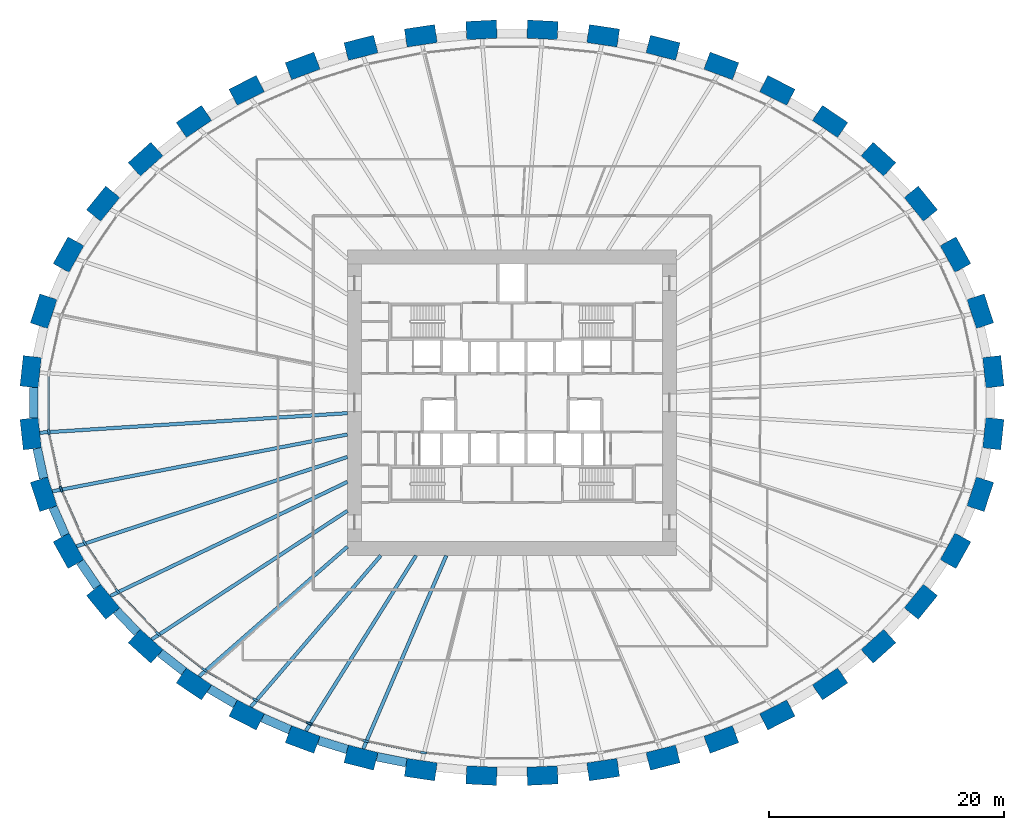
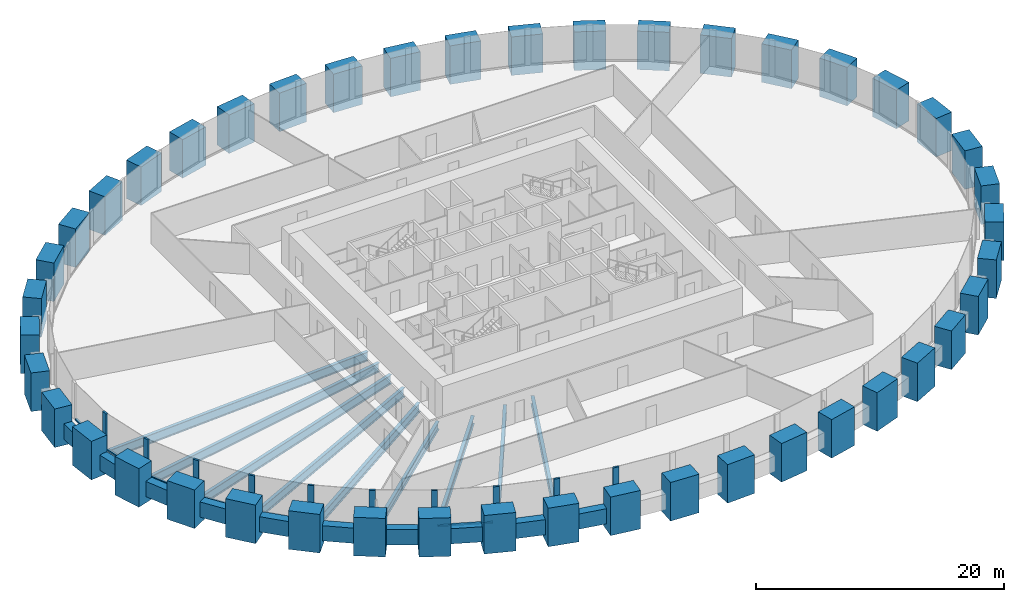
# One storey, part 1 of 10: 44 columns, 20 members, 19 beams, 1 element without a shape of its own.
"""IFC4 building model written with IfcOpenShell, lengths in metres."""

from ifc_helpers import new_model, si_unit, direction, frame, origin, origin_2d, place, context, subcontext, project, spatial, rectangle, i_section, extrude, source, transform, mapped, material, material_profile, profile_set, type_object, element, aggregate, save


model = new_model("IFC4")

# Units and contexts
model_context = context("Model", 3, precision=1e-05, world=origin(), true_north=direction((0.0, 1.0)))
body_context = subcontext(model_context, "Body", "Model", "MODEL_VIEW")
ifc_project = project(units=[si_unit("LENGTHUNIT", "METRE"), si_unit("AREAUNIT", "SQUARE_METRE"), si_unit("VOLUMEUNIT", "CUBIC_METRE"), si_unit("PLANEANGLEUNIT", "RADIAN"), si_unit("MASSUNIT", "GRAM", prefix="KILO")], contexts=[model_context])

# Site, building, storey
site_placement = place(None, origin())
site = spatial("IfcSite", under=ifc_project, at=site_placement, CompositionType="ELEMENT")
building_placement = place(site_placement, origin())
building = spatial("IfcBuilding", under=site, at=building_placement, Name="Embergate Tower", CompositionType="ELEMENT")
storey_placement = place(building_placement, frame((0.0, 0.0, 97.10009765625)))
storey = spatial("IfcBuildingStorey", under=building, at=storey_placement, Name="L20", CompositionType="ELEMENT", Elevation=97.10009765625)

# Columns
ifc_material_1 = material(Name="Concrete C70", Category="concrete")
ifc_material_profile_1 = material_profile(ifc_material_1, rectangle(XDim=1.550048828125, YDim=2.60009765625, at=origin_2d()), Name="RC 1550x2600")
ifc_profile_set_1 = profile_set([ifc_material_profile_1], Name="Concrete C70")
column_type = type_object("IfcColumnType", Name="Ring column RC 1550x2600 C70", PredefinedType="COLUMN", material=ifc_profile_set_1)
shared_shape_1 = source(origin(), body_context, "Body", "SweptSolid", [
    extrude(rectangle(XDim=1.550048828125, YDim=2.60009765625, at=origin_2d()), origin(), (0.0, 0.0, 1.0), 3.800048828125),
])
for number, where, z_axis, x_axis, name in (
    (1, (40.93408203125, 2.634033203125, -1.400146484375), (0.0, 0.0, 1.0), (0.99428589498, 0.106749983816, 0.0), "COL-L20-00"),
    (2, (39.825927734375, 7.781005859375, -1.400146484375), (0.0, 0.0, 1.0), (0.950754033697, 0.309946394413, 0.0), "COL-L20-01"),
    (3, (37.716064453125, 12.592041015625, -1.400146484375), (0.0, 0.0, 1.0), (0.873491969053, 0.486838556403, 0.0), "COL-L20-02"),
    (4, (34.77001953125, 16.926025390625, -1.400146484375), (0.0, 0.0, 1.0), (0.775925311702, 0.630824786022, 0.0), "COL-L20-03"),
    (5, (31.162109375, 20.708984375, -1.400146484375), (0.0, 0.0, 1.0), (0.669208424634, 0.74307475021, 0.0), "COL-L20-04"),
    (6, (27.051025390625, 23.9189453125, -1.400146484375), (0.0, 0.0, 1.0), (0.560393279442, 0.828226643109, 0.0), "COL-L20-05"),
    (7, (22.56298828125, 26.556884765625, -1.400146484375), (0.0, 0.0, 1.0), (0.452994952881, 0.891513080478, 0.0), "COL-L20-06"),
    (8, (17.801025390625, 28.639892578125, -1.400146484375), (0.0, 0.0, 1.0), (0.348343015724, 0.93736713373, 0.0), "COL-L20-07"),
    (9, (12.843017578125, 30.18408203125, -1.400146484375), (0.0, 0.0, 1.0), (0.246491603437, 0.969144926951, 0.0), "COL-L20-08"),
    (10, (7.7548828125, 31.2041015625, -1.400146484375), (0.0, 0.0, 1.0), (0.146929011949, 0.989147039346, 0.0), "COL-L20-09"),
    (11, (2.593017578125, 31.7119140625, -1.400146484375), (0.0, 0.0, 1.0), (0.048814904854, 0.998807841912, 0.0), "COL-L20-10"),
    (12, (-2.593017578125, 31.7119140625, -1.400146484375), (0.0, 0.0, 1.0), (-0.048814904854, 0.998807841912, 0.0), "COL-L20-11"),
    (13, (-7.7548828125, 31.2041015625, -1.400146484375), (0.0, 0.0, 1.0), (-0.146929011949, 0.989147039346, 0.0), "COL-L20-12"),
    (14, (-12.843017578125, 30.18408203125, -1.400146484375), (0.0, 0.0, 1.0), (-0.246491603437, 0.969144926951, 0.0), "COL-L20-13"),
    (15, (-17.801025390625, 28.639892578125, -1.400146484375), (0.0, 0.0, 1.0), (-0.348343015724, 0.93736713373, 0.0), "COL-L20-14"),
    (16, (-22.56298828125, 26.556884765625, -1.400146484375), (0.0, 0.0, 1.0), (-0.452994952881, 0.891513080478, 0.0), "COL-L20-15"),
    (17, (-27.051025390625, 23.9189453125, -1.400146484375), (0.0, 0.0, 1.0), (-0.560393279442, 0.828226643109, 0.0), "COL-L20-16"),
    (18, (-31.162109375, 20.708984375, -1.400146484375), (0.0, 0.0, 1.0), (-0.669208424634, 0.74307475021, 0.0), "COL-L20-17"),
    (19, (-34.77001953125, 16.926025390625, -1.400146484375), (0.0, 0.0, 1.0), (-0.775925311702, 0.630824786022, 0.0), "COL-L20-18"),
    (20, (-37.716064453125, 12.592041015625, -1.400146484375), (0.0, 0.0, 1.0), (-0.873491969053, 0.486838556403, 0.0), "COL-L20-19"),
    (21, (-39.825927734375, 7.781005859375, -1.400146484375), (0.0, 0.0, 1.0), (-0.950754033697, 0.309946394413, 0.0), "COL-L20-20"),
    (22, (-40.93408203125, 2.634033203125, -1.400146484375), (0.0, 0.0, 1.0), (-0.99428589498, 0.106749983816, 0.0), "COL-L20-21"),
    (23, (-40.93408203125, -2.634033203125, -1.400146484375), (0.0, 0.0, 1.0), (-0.99428589498, -0.106749983816, 0.0), "COL-L20-22"),
    (24, (-39.825927734375, -7.781005859375, -1.400146484375), (0.0, 0.0, 1.0), (-0.950754033697, -0.309946394413, 0.0), "COL-L20-23"),
    (25, (-37.716064453125, -12.592041015625, -1.400146484375), (0.0, 0.0, 1.0), (-0.873491969053, -0.486838556403, 0.0), "COL-L20-24"),
    (26, (-34.77001953125, -16.926025390625, -1.400146484375), (0.0, 0.0, 1.0), (-0.775925311702, -0.630824786022, 0.0), "COL-L20-25"),
    (27, (-31.162109375, -20.708984375, -1.400146484375), (0.0, 0.0, 1.0), (-0.669208424634, -0.74307475021, 0.0), "COL-L20-26"),
    (28, (-27.051025390625, -23.9189453125, -1.400146484375), (0.0, 0.0, 1.0), (-0.560393279442, -0.828226643109, 0.0), "COL-L20-27"),
    (29, (-22.56298828125, -26.556884765625, -1.400146484375), (0.0, 0.0, 1.0), (-0.452994952881, -0.891513080478, 0.0), "COL-L20-28"),
    (30, (-17.801025390625, -28.639892578125, -1.400146484375), (0.0, 0.0, 1.0), (-0.348343015724, -0.93736713373, 0.0), "COL-L20-29"),
    (31, (-12.843017578125, -30.18408203125, -1.400146484375), (0.0, 0.0, 1.0), (-0.246491603437, -0.969144926951, 0.0), "COL-L20-30"),
    (32, (-7.7548828125, -31.2041015625, -1.400146484375), (0.0, 0.0, 1.0), (-0.146929011949, -0.989147039346, 0.0), "COL-L20-31"),
    (33, (-2.593017578125, -31.7119140625, -1.400146484375), (0.0, 0.0, 1.0), (-0.048814904854, -0.998807841912, 0.0), "COL-L20-32"),
    (34, (2.593017578125, -31.7119140625, -1.400146484375), (0.0, 0.0, 1.0), (0.048814904854, -0.998807841912, 0.0), "COL-L20-33"),
    (35, (7.7548828125, -31.2041015625, -1.400146484375), (0.0, 0.0, 1.0), (0.146929011949, -0.989147039346, 0.0), "COL-L20-34"),
    (36, (12.843017578125, -30.18408203125, -1.400146484375), (0.0, 0.0, 1.0), (0.246491603437, -0.969144926951, 0.0), "COL-L20-35"),
    (37, (17.801025390625, -28.639892578125, -1.400146484375), (0.0, 0.0, 1.0), (0.348343015724, -0.93736713373, 0.0), "COL-L20-36"),
    (38, (22.56298828125, -26.556884765625, -1.400146484375), (0.0, 0.0, 1.0), (0.452994952881, -0.891513080478, 0.0), "COL-L20-37"),
    (39, (27.051025390625, -23.9189453125, -1.400146484375), (0.0, 0.0, 1.0), (0.560393279442, -0.828226643109, 0.0), "COL-L20-38"),
    (40, (31.162109375, -20.708984375, -1.400146484375), (0.0, 0.0, 1.0), (0.669208424634, -0.74307475021, 0.0), "COL-L20-39"),
    (41, (34.77001953125, -16.926025390625, -1.400146484375), (0.0, 0.0, 1.0), (0.775925311702, -0.630824786022, 0.0), "COL-L20-40"),
    (42, (37.716064453125, -12.592041015625, -1.400146484375), (0.0, 0.0, 1.0), (0.873491969053, -0.486838556403, 0.0), "COL-L20-41"),
    (43, (39.825927734375, -7.781005859375, -1.400146484375), (0.0, 0.0, 1.0), (0.950754033697, -0.309946394413, 0.0), "COL-L20-42"),
    (44, (40.93408203125, -2.634033203125, -1.400146484375), (0.0, 0.0, 1.0), (0.99428589498, -0.106749983816, 0.0), "COL-L20-43"),
):
    element("IfcColumn", number, at=place(storey_placement, frame(where, z_axis=z_axis, x_axis=x_axis)), inside=storey, type_object=column_type, Name=name, PredefinedType="COLUMN", context=body_context, shape_type="MappedRepresentation", body=[
        mapped(shared_shape_1, transform((0.0, 0.0, 0.0))),
    ])

# Beams
ifc_material_profile_2 = material_profile(ifc_material_1, rectangle(XDim=0.75, YDim=1.5, at=origin_2d()), Name="RC 750x1500")
ifc_profile_set_2 = profile_set([ifc_material_profile_2], Name="Concrete C70")
beam_type_1 = type_object("IfcBeamType", Name="Spandrel beam RC 750x1500 C70", PredefinedType="BEAM", material=ifc_profile_set_2)
shared_shape_2 = source(origin(), body_context, "Body", "SweptSolid", [
    extrude(rectangle(XDim=0.75, YDim=1.5, at=origin_2d()), origin(), (0.0, 0.0, 1.0), 2.556640625),
])
beam_1_placement = place(storey_placement, frame((-21.22509765625, -26.7939453125, 0.0), z_axis=(0.91608499415, -0.400984143692, 0.0), x_axis=(0.400984143692, 0.91608499415, 0.0)))
element("IfcBeam", 45, at=beam_1_placement, inside=storey, type_object=beam_type_1, Name="SPN-L20-28", PredefinedType="BEAM", context=body_context, shape_type="MappedRepresentation", body=[
    mapped(shared_shape_2, transform((0.0, 0.0, 0.0))),
])
shared_shape_3 = source(origin(), body_context, "Body", "SweptSolid", [
    extrude(rectangle(XDim=0.75, YDim=1.5, at=origin_2d()), origin(), (0.0, 0.0, 1.0), 2.55517578125),
])
beam_2_placement = place(storey_placement, frame((-16.447021484375, -28.72802734375, 0.0), z_axis=(0.954863400913, -0.297045258499, 0.0), x_axis=(0.297045258499, 0.954863400913, 0.0)))
element("IfcBeam", 46, at=beam_2_placement, inside=storey, type_object=beam_type_1, Name="SPN-L20-29", PredefinedType="BEAM", context=body_context, shape_type="MappedRepresentation", body=[
    mapped(shared_shape_3, transform((0.0, 0.0, 0.0))),
])
shared_shape_4 = source(origin(), body_context, "Body", "SweptSolid", [
    extrude(rectangle(XDim=0.75, YDim=1.5, at=origin_2d()), origin(), (0.0, 0.0, 1.0), 2.593017578125),
])
beam_3_placement = place(storey_placement, frame((-40.383056640625, -3.882080078125, 0.0), z_axis=(0.210615598697, -0.977568958993, 0.0), x_axis=(0.977568958993, 0.210615598697, 0.0)))
element("IfcBeam", 47, at=beam_3_placement, inside=storey, type_object=beam_type_1, Name="SPN-L20-22", PredefinedType="BEAM", context=body_context, shape_type="MappedRepresentation", body=[
    mapped(shared_shape_4, transform((0.0, 0.0, 0.0))),
])
shared_shape_5 = source(origin(), body_context, "Body", "SweptSolid", [
    extrude(rectangle(XDim=0.75, YDim=1.5, at=origin_2d()), origin(), (0.0, 0.0, 1.0), 2.587646484375),
])
beam_4_placement = place(storey_placement, frame((-39.037109375, -8.89111328125, 0.0), z_axis=(0.401546272055, -0.915838736568, 0.0), x_axis=(0.915838736568, 0.401546272055, 0.0)))
element("IfcBeam", 48, at=beam_4_placement, inside=storey, type_object=beam_type_1, Name="SPN-L20-23", PredefinedType="BEAM", context=body_context, shape_type="MappedRepresentation", body=[
    mapped(shared_shape_5, transform((0.0, 0.0, 0.0))),
])
shared_shape_6 = source(origin(), body_context, "Body", "SweptSolid", [
    extrude(rectangle(XDim=0.75, YDim=1.5, at=origin_2d()), origin(), (0.0, 0.0, 1.0), 2.5791015625),
])
beam_5_placement = place(storey_placement, frame((-36.721923828125, -13.52587890625, 0.0), z_axis=(0.562170202136, -0.82702156189, 0.0), x_axis=(0.82702156189, 0.562170202136, 0.0)))
element("IfcBeam", 49, at=beam_5_placement, inside=storey, type_object=beam_type_1, Name="SPN-L20-24", PredefinedType="BEAM", context=body_context, shape_type="MappedRepresentation", body=[
    mapped(shared_shape_6, transform((0.0, 0.0, 0.0))),
])
shared_shape_7 = source(origin(), body_context, "Body", "SweptSolid", [
    extrude(rectangle(XDim=0.75, YDim=1.5, at=origin_2d()), origin(), (0.0, 0.0, 1.0), 2.57373046875),
])
beam_6_placement = place(storey_placement, frame((-33.637939453125, -17.680908203125, 0.0), z_axis=(0.689972491303, -0.723835589927, 0.0), x_axis=(0.723835589927, 0.689972491303, 0.0)))
element("IfcBeam", 50, at=beam_6_placement, inside=storey, type_object=beam_type_1, Name="SPN-L20-25", PredefinedType="BEAM", context=body_context, shape_type="MappedRepresentation", body=[
    mapped(shared_shape_7, transform((0.0, 0.0, 0.0))),
])
shared_shape_8 = source(origin(), body_context, "Body", "SweptSolid", [
    extrude(rectangle(XDim=0.75, YDim=1.5, at=origin_2d()), origin(), (0.0, 0.0, 1.0), 2.5654296875),
])
beam_7_placement = place(storey_placement, frame((-29.9208984375, -21.27392578125, 0.0), z_axis=(0.788131123291, -0.615507378103, 0.0), x_axis=(0.615507378103, 0.788131123291, 0.0)))
element("IfcBeam", 51, at=beam_7_placement, inside=storey, type_object=beam_type_1, Name="SPN-L20-26", PredefinedType="BEAM", context=body_context, shape_type="MappedRepresentation", body=[
    mapped(shared_shape_8, transform((0.0, 0.0, 0.0))),
])
shared_shape_9 = source(origin(), body_context, "Body", "SweptSolid", [
    extrude(rectangle(XDim=0.75, YDim=1.5, at=origin_2d()), origin(), (0.0, 0.0, 1.0), 2.561279296875),
])
beam_8_placement = place(storey_placement, frame((-25.7490234375, -24.31494140625, 0.0), z_axis=(0.862059156479, -0.506807666409, 0.0), x_axis=(0.506807666409, 0.862059156479, 0.0)))
element("IfcBeam", 52, at=beam_8_placement, inside=storey, type_object=beam_type_1, Name="SPN-L20-27", PredefinedType="BEAM", context=body_context, shape_type="MappedRepresentation", body=[
    mapped(shared_shape_9, transform((0.0, 0.0, 0.0))),
])
shared_shape_10 = source(origin(), body_context, "Body", "SweptSolid", [
    extrude(rectangle(XDim=0.75, YDim=1.5, at=origin_2d()), origin(), (0.0, 0.0, 1.0), 2.551513671875),
])
beam_9_placement = place(storey_placement, frame((-11.48291015625, -30.111083984375, 0.0), z_axis=(0.980536490478, -0.196336931934, 0.0), x_axis=(0.196336931934, 0.980536490478, 0.0)))
element("IfcBeam", 53, at=beam_9_placement, inside=storey, type_object=beam_type_1, Name="SPN-L20-30", PredefinedType="BEAM", context=body_context, shape_type="MappedRepresentation", body=[
    mapped(shared_shape_10, transform((0.0, 0.0, 0.0))),
])
shared_shape_11 = source(origin(), body_context, "Body", "SweptSolid", [
    extrude(rectangle(XDim=0.75, YDim=1.5, at=origin_2d()), origin(), (0.0, 0.0, 1.0), 2.59814453125),
])
beam_10_placement = place(storey_placement, frame((-40.677978515625, 1.299072265625, 0.0), z_axis=(0.0, -1.0, 0.0), x_axis=(1.0, 0.0, 0.0)))
element("IfcBeam", 54, at=beam_10_placement, inside=storey, type_object=beam_type_1, Name="SPN-L20-21", PredefinedType="BEAM", context=body_context, shape_type="MappedRepresentation", body=[
    mapped(shared_shape_11, transform((0.0, 0.0, 0.0))),
])
ifc_material_2 = material(Name="Steel Q355B", Category="steel")
ifc_material_profile_3 = material_profile(ifc_material_2, i_section(OverallWidth=0.300048828125, OverallDepth=0.89990234375, WebThickness=0.01611328125, FlangeThickness=0.028076171875, FilletRadius=0.028076171875, at=origin_2d()), Name="HN 900x300x16x28")
ifc_profile_set_3 = profile_set([ifc_material_profile_3], Name="Steel Q355 grade B")
beam_type_2 = type_object("IfcBeamType", Name="Radial girder HN 900x300x16x28", PredefinedType="BEAM", material=ifc_profile_set_3)
shared_shape_12 = source(origin(), body_context, "Body", "SweptSolid", [
    extrude(i_section(OverallWidth=0.300048828125, OverallDepth=0.89990234375, WebThickness=0.01611328125, FlangeThickness=0.028076171875, FilletRadius=0.028076171875, at=origin_2d()), origin(), (0.0, 0.0, 1.0), 26.2158203125),
])
beam_11_placement = place(storey_placement, frame((-40.1630859375, -2.551025390625, -0.650146484375), z_axis=(0.997988133713, 0.063400985539, 0.0), x_axis=(-0.063400985539, 0.997988133713, 0.0)))
element("IfcBeam", 55, at=beam_11_placement, inside=storey, type_object=beam_type_2, Name="GIR-L20-22", PredefinedType="BEAM", context=body_context, shape_type="MappedRepresentation", body=[
    mapped(shared_shape_12, transform((0.0, 0.0, 0.0))),
])
shared_shape_13 = source(origin(), body_context, "Body", "SweptSolid", [
    extrude(i_section(OverallWidth=0.300048828125, OverallDepth=0.89990234375, WebThickness=0.01611328125, FlangeThickness=0.028076171875, FilletRadius=0.028076171875, at=origin_2d()), origin(), (0.0, 0.0, 1.0), 25.5517578125),
])
beam_12_placement = place(storey_placement, frame((-39.089111328125, -7.541015625, -0.650146484375), z_axis=(0.981895532799, 0.189423236878, 0.0), x_axis=(-0.189423236878, 0.981895532799, 0.0)))
element("IfcBeam", 56, at=beam_12_placement, inside=storey, type_object=beam_type_2, Name="GIR-L20-23", PredefinedType="BEAM", context=body_context, shape_type="MappedRepresentation", body=[
    mapped(shared_shape_13, transform((0.0, 0.0, 0.0))),
])
shared_shape_14 = source(origin(), body_context, "Body", "SweptSolid", [
    extrude(i_section(OverallWidth=0.300048828125, OverallDepth=0.89990234375, WebThickness=0.01611328125, FlangeThickness=0.028076171875, FilletRadius=0.028076171875, at=origin_2d()), origin(), (0.0, 0.0, 1.0), 24.259521484375),
])
beam_13_placement = place(storey_placement, frame((-37.0390625, -12.215087890625, -0.650146484375), z_axis=(0.949686852887, 0.313201024029, 0.0), x_axis=(-0.313201024029, 0.949686852887, 0.0)))
element("IfcBeam", 57, at=beam_13_placement, inside=storey, type_object=beam_type_2, Name="GIR-L20-24", PredefinedType="BEAM", context=body_context, shape_type="MappedRepresentation", body=[
    mapped(shared_shape_14, transform((0.0, 0.0, 0.0))),
])
shared_shape_15 = source(origin(), body_context, "Body", "SweptSolid", [
    extrude(i_section(OverallWidth=0.300048828125, OverallDepth=0.89990234375, WebThickness=0.01611328125, FlangeThickness=0.028076171875, FilletRadius=0.028076171875, at=origin_2d()), origin(), (0.0, 0.0, 1.0), 22.381103515625),
])
beam_14_placement = place(storey_placement, frame((-34.1689453125, -16.43701171875, -0.650146484375), z_axis=(0.901159999326, 0.4334866268, 0.0), x_axis=(-0.4334866268, 0.901159999326, 0.0)))
element("IfcBeam", 58, at=beam_14_placement, inside=storey, type_object=beam_type_2, Name="GIR-L20-25", PredefinedType="BEAM", context=body_context, shape_type="MappedRepresentation", body=[
    mapped(shared_shape_15, transform((0.0, 0.0, 0.0))),
])
shared_shape_16 = source(origin(), body_context, "Body", "SweptSolid", [
    extrude(i_section(OverallWidth=0.300048828125, OverallDepth=0.89990234375, WebThickness=0.01611328125, FlangeThickness=0.028076171875, FilletRadius=0.028076171875, at=origin_2d()), origin(), (0.0, 0.0, 1.0), 19.9140625),
])
beam_15_placement = place(storey_placement, frame((-30.64306640625, -20.133056640625, -0.650146484375), z_axis=(0.835747275066, 0.549114279745, 0.0), x_axis=(-0.549114279745, 0.835747275066, 0.0)))
element("IfcBeam", 59, at=beam_15_placement, inside=storey, type_object=beam_type_2, Name="GIR-L20-26", PredefinedType="BEAM", context=body_context, shape_type="MappedRepresentation", body=[
    mapped(shared_shape_16, transform((0.0, 0.0, 0.0))),
])
ifc_material_profile_4 = material_profile(ifc_material_2, i_section(OverallWidth=0.300048828125, OverallDepth=0.800048828125, WebThickness=0.013916015625, FlangeThickness=0.02587890625, FilletRadius=0.028076171875, at=origin_2d()), Name="HN 800x300x14x26")
ifc_profile_set_4 = profile_set([ifc_material_profile_4], Name="Steel Q355 grade B")
beam_type_3 = type_object("IfcBeamType", Name="Radial girder HN 800x300x14x26", PredefinedType="BEAM", material=ifc_profile_set_4)
shared_shape_17 = source(origin(), body_context, "Body", "SweptSolid", [
    extrude(i_section(OverallWidth=0.300048828125, OverallDepth=0.800048828125, WebThickness=0.013916015625, FlangeThickness=0.02587890625, FilletRadius=0.028076171875, at=origin_2d()), origin(), (0.0, 0.0, 1.0), 16.76123046875),
])
beam_16_placement = place(storey_placement, frame((-26.616943359375, -23.277099609375, -0.60009765625), z_axis=(0.752743596645, 0.658313814005, 0.0), x_axis=(-0.658313814005, 0.752743596645, 0.0)))
element("IfcBeam", 60, at=beam_16_placement, inside=storey, type_object=beam_type_3, Name="GIR-L20-27", PredefinedType="BEAM", context=body_context, shape_type="MappedRepresentation", body=[
    mapped(shared_shape_17, transform((0.0, 0.0, 0.0))),
])
shared_shape_18 = source(origin(), body_context, "Body", "SweptSolid", [
    extrude(i_section(OverallWidth=0.300048828125, OverallDepth=0.800048828125, WebThickness=0.013916015625, FlangeThickness=0.02587890625, FilletRadius=0.028076171875, at=origin_2d()), origin(), (0.0, 0.0, 1.0), 16.958984375),
])
beam_17_placement = place(storey_placement, frame((-22.2119140625, -25.865966796875, -0.60009765625), z_axis=(0.651500044605, 0.75864859578, 0.0), x_axis=(-0.75864859578, 0.651500044605, 0.0)))
element("IfcBeam", 61, at=beam_17_placement, inside=storey, type_object=beam_type_3, Name="GIR-L20-28", PredefinedType="BEAM", context=body_context, shape_type="MappedRepresentation", body=[
    mapped(shared_shape_18, transform((0.0, 0.0, 0.0))),
])
shared_shape_19 = source(origin(), body_context, "Body", "SweptSolid", [
    extrude(i_section(OverallWidth=0.300048828125, OverallDepth=0.800048828125, WebThickness=0.013916015625, FlangeThickness=0.02587890625, FilletRadius=0.028076171875, at=origin_2d()), origin(), (0.0, 0.0, 1.0), 17.611083984375),
])
beam_18_placement = place(storey_placement, frame((-17.531005859375, -27.9140625, -0.60009765625), z_axis=(0.531822007443, 0.846856158034, 0.0), x_axis=(-0.846856158034, 0.531822007443, 0.0)))
element("IfcBeam", 62, at=beam_18_placement, inside=storey, type_object=beam_type_3, Name="GIR-L20-29", PredefinedType="BEAM", context=body_context, shape_type="MappedRepresentation", body=[
    mapped(shared_shape_19, transform((0.0, 0.0, 0.0))),
])
shared_shape_20 = source(origin(), body_context, "Body", "SweptSolid", [
    extrude(i_section(OverallWidth=0.300048828125, OverallDepth=0.800048828125, WebThickness=0.013916015625, FlangeThickness=0.02587890625, FilletRadius=0.028076171875, at=origin_2d()), origin(), (0.0, 0.0, 1.0), 17.88720703125),
])
beam_19_placement = place(storey_placement, frame((-12.652099609375, -29.43310546875, -0.60009765625), z_axis=(0.394932140267, 0.918710294154, 0.0), x_axis=(-0.918710294154, 0.394932140267, 0.0)))
element("IfcBeam", 63, at=beam_19_placement, inside=storey, type_object=beam_type_3, Name="GIR-L20-30", PredefinedType="BEAM", context=body_context, shape_type="MappedRepresentation", body=[
    mapped(shared_shape_20, transform((0.0, 0.0, 0.0))),
])

# Curtain wall, members
ifc_material_3 = material(Name="Aluminium and glass", Category="aluminium")
curtain_wall_type = type_object("IfcCurtainWallType", Name="Recessed office glazing", PredefinedType="NOTDEFINED", material=ifc_material_3)
curtain_wall_placement = place(storey_placement, origin())
curtain_wall = element("IfcCurtainWall", 64, at=curtain_wall_placement, inside=storey, type_object=curtain_wall_type, Name="Recessed office glazing ring", ObjectType="RECESSED OFFICE GLAZING", PredefinedType="USERDEFINED")
ifc_material_4 = material(Name="Aluminium, thermally broken", Category="aluminium")
ifc_material_profile_5 = material_profile(ifc_material_4, rectangle(XDim=0.179931640625, YDim=0.14990234375, at=origin_2d()), Name="AL 150x180")
ifc_profile_set_5 = profile_set([ifc_material_profile_5], Name="Aluminium, thermally broken")
member_type_1 = type_object("IfcMemberType", Name="Office sill transom", PredefinedType="USERDEFINED", material=ifc_profile_set_5)
shared_shape_21 = source(origin(), body_context, "Body", "SweptSolid", [
    extrude(rectangle(XDim=0.179931640625, YDim=0.14990234375, at=origin_2d()), origin(), (0.0, 0.0, 1.0), 4.45361328125),
])
member_1_placement = place(storey_placement, frame((-39.339111328125, -2.73974609375, 0.074951171875), z_axis=(0.210390045313, -0.977617526865, 0.0), x_axis=(0.977617526865, 0.210390045313, 0.0)))
member_1 = element("IfcMember", 65, at=member_1_placement, type_object=member_type_1, Name="CW transom 23.1", ObjectType="TRANSOM", PredefinedType="USERDEFINED", context=body_context, shape_type="MappedRepresentation", body=[
    mapped(shared_shape_21, transform((0.0, 0.0, 0.0))),
])
shared_shape_22 = source(origin(), body_context, "Body", "SweptSolid", [
    extrude(rectangle(XDim=0.179931640625, YDim=0.14990234375, at=origin_2d()), origin(), (0.0, 0.0, 1.0), 4.460693359375),
])
member_2_placement = place(storey_placement, frame((-38.242919921875, -7.586181640625, 0.074951171875), z_axis=(0.401613983085, -0.915809045921, 0.0), x_axis=(0.915809045921, 0.401613983085, 0.0)))
member_2 = element("IfcMember", 66, at=member_2_placement, type_object=member_type_1, Name="CW transom 24.1", ObjectType="TRANSOM", PredefinedType="USERDEFINED", context=body_context, shape_type="MappedRepresentation", body=[
    mapped(shared_shape_22, transform((0.0, 0.0, 0.0))),
])
shared_shape_23 = source(origin(), body_context, "Body", "SweptSolid", [
    extrude(rectangle(XDim=0.179931640625, YDim=0.14990234375, at=origin_2d()), origin(), (0.0, 0.0, 1.0), 4.4697265625),
])
member_3_placement = place(storey_placement, frame((-36.20068359375, -12.12451171875, 0.074951171875), z_axis=(0.562327949545, -0.826914310652, 0.0), x_axis=(0.826914310652, 0.562327949545, 0.0)))
member_3 = element("IfcMember", 67, at=member_3_placement, type_object=member_type_1, Name="CW transom 25.1", ObjectType="TRANSOM", PredefinedType="USERDEFINED", context=body_context, shape_type="MappedRepresentation", body=[
    mapped(shared_shape_23, transform((0.0, 0.0, 0.0))),
])
shared_shape_24 = source(origin(), body_context, "Body", "SweptSolid", [
    extrude(rectangle(XDim=0.179931640625, YDim=0.14990234375, at=origin_2d()), origin(), (0.0, 0.0, 1.0), 4.478515625),
])
member_4_placement = place(storey_placement, frame((-33.361572265625, -16.2236328125, 0.074951171875), z_axis=(0.690145055563, -0.723671059447, 0.0), x_axis=(0.723671059447, 0.690145055563, 0.0)))
member_4 = element("IfcMember", 68, at=member_4_placement, type_object=member_type_1, Name="CW transom 26.1", ObjectType="TRANSOM", PredefinedType="USERDEFINED", context=body_context, shape_type="MappedRepresentation", body=[
    mapped(shared_shape_24, transform((0.0, 0.0, 0.0))),
])
shared_shape_25 = source(origin(), body_context, "Body", "SweptSolid", [
    extrude(rectangle(XDim=0.179931640625, YDim=0.14990234375, at=origin_2d()), origin(), (0.0, 0.0, 1.0), 4.486083984375),
])
member_5_placement = place(storey_placement, frame((-29.886474609375, -19.812744140625, 0.074951171875), z_axis=(0.78829904423, -0.615292301972, 0.0), x_axis=(0.615292301972, 0.78829904423, 0.0)))
member_5 = element("IfcMember", 69, at=member_5_placement, type_object=member_type_1, Name="CW transom 27.1", ObjectType="TRANSOM", PredefinedType="USERDEFINED", context=body_context, shape_type="MappedRepresentation", body=[
    mapped(shared_shape_25, transform((0.0, 0.0, 0.0))),
])
shared_shape_26 = source(origin(), body_context, "Body", "SweptSolid", [
    extrude(rectangle(XDim=0.179931640625, YDim=0.14990234375, at=origin_2d()), origin(), (0.0, 0.0, 1.0), 4.491943359375),
])
member_6_placement = place(storey_placement, frame((-25.9208984375, -22.86474609375, 0.074951171875), z_axis=(0.8620529522, -0.506818219486, 0.0), x_axis=(0.506818219486, 0.8620529522, 0.0)))
member_6 = element("IfcMember", 70, at=member_6_placement, type_object=member_type_1, Name="CW transom 28.1", ObjectType="TRANSOM", PredefinedType="USERDEFINED", context=body_context, shape_type="MappedRepresentation", body=[
    mapped(shared_shape_26, transform((0.0, 0.0, 0.0))),
])
shared_shape_27 = source(origin(), body_context, "Body", "SweptSolid", [
    extrude(rectangle(XDim=0.179931640625, YDim=0.14990234375, at=origin_2d()), origin(), (0.0, 0.0, 1.0), 4.49658203125),
])
member_7_placement = place(storey_placement, frame((-21.586181640625, -25.377197265625, 0.074951171875), z_axis=(0.9162134002, -0.400690660354, 0.0), x_axis=(0.400690660354, 0.9162134002, 0.0)))
member_7 = element("IfcMember", 71, at=member_7_placement, type_object=member_type_1, Name="CW transom 29.1", ObjectType="TRANSOM", PredefinedType="USERDEFINED", context=body_context, shape_type="MappedRepresentation", body=[
    mapped(shared_shape_27, transform((0.0, 0.0, 0.0))),
])
shared_shape_28 = source(origin(), body_context, "Body", "SweptSolid", [
    extrude(rectangle(XDim=0.179931640625, YDim=0.14990234375, at=origin_2d()), origin(), (0.0, 0.0, 1.0), 4.5),
])
member_8_placement = place(storey_placement, frame((-16.97998046875, -27.3603515625, 0.074951171875), z_axis=(0.954763366225, -0.297366633156, 0.0), x_axis=(0.297366633156, 0.954763366225, 0.0)))
member_8 = element("IfcMember", 72, at=member_8_placement, type_object=member_type_1, Name="CW transom 30.1", ObjectType="TRANSOM", PredefinedType="USERDEFINED", context=body_context, shape_type="MappedRepresentation", body=[
    mapped(shared_shape_28, transform((0.0, 0.0, 0.0))),
])
shared_shape_29 = source(origin(), body_context, "Body", "SweptSolid", [
    extrude(rectangle(XDim=0.179931640625, YDim=0.14990234375, at=origin_2d()), origin(), (0.0, 0.0, 1.0), 4.502197265625),
])
member_9_placement = place(storey_placement, frame((-12.180419921875, -28.826904296875, 0.074951171875), z_axis=(0.980478345518, -0.196627093681, 0.0), x_axis=(0.196627093681, 0.980478345518, 0.0)))
member_9 = element("IfcMember", 73, at=member_9_placement, type_object=member_type_1, Name="CW transom 31.1", ObjectType="TRANSOM", PredefinedType="USERDEFINED", context=body_context, shape_type="MappedRepresentation", body=[
    mapped(shared_shape_29, transform((0.0, 0.0, 0.0))),
])
shared_shape_30 = source(origin(), body_context, "Body", "SweptSolid", [
    extrude(rectangle(XDim=0.179931640625, YDim=0.14990234375, at=origin_2d()), origin(), (0.0, 0.0, 1.0), 4.451171875),
])
member_10_placement = place(storey_placement, frame((-39.393798828125, 2.2255859375, 0.074951171875), z_axis=(0.0, -1.0, 0.0), x_axis=(1.0, 0.0, 0.0)))
member_10 = element("IfcMember", 74, at=member_10_placement, type_object=member_type_1, Name="CW transom 22.1", ObjectType="TRANSOM", PredefinedType="USERDEFINED", context=body_context, shape_type="MappedRepresentation", body=[
    mapped(shared_shape_30, transform((0.0, 0.0, 0.0))),
])
ifc_material_profile_6 = material_profile(ifc_material_4, rectangle(XDim=0.179931640625, YDim=0.52001953125, at=origin_2d()), Name="AL 520x180")
ifc_profile_set_6 = profile_set([ifc_material_profile_6], Name="Aluminium, thermally broken")
member_type_2 = type_object("IfcMemberType", Name="Office mullion", PredefinedType="MULLION", material=ifc_profile_set_6)
shared_shape_31 = source(origin(), body_context, "Body", "SweptSolid", [
    extrude(rectangle(XDim=0.179931640625, YDim=0.52001953125, at=origin_2d()), origin(), (0.0, 0.0, 1.0), 3.599853515625),
])
member_11_placement = place(storey_placement, frame((-39.393798828125, -2.485595703125, 0.0), z_axis=(0.0, 0.0, 1.0), x_axis=(0.994385508811, 0.105818050756, 0.0)))
member_11 = element("IfcMember", 75, at=member_11_placement, type_object=member_type_2, Name="CW mullion 23", PredefinedType="MULLION", context=body_context, shape_type="MappedRepresentation", body=[
    mapped(shared_shape_31, transform((0.0, 0.0, 0.0))),
])
member_12_placement = place(storey_placement, frame((-38.347412109375, -7.347900390625, 0.0), z_axis=(0.0, 0.0, 1.0), x_axis=(0.951502093582, 0.307642269381, 0.0)))
member_12 = element("IfcMember", 76, at=member_12_placement, type_object=member_type_2, Name="CW mullion 24", PredefinedType="MULLION", context=body_context, shape_type="MappedRepresentation", body=[
    mapped(shared_shape_31, transform((0.0, 0.0, 0.0))),
])
member_13_placement = place(storey_placement, frame((-36.3466796875, -11.909423828125, 0.0), z_axis=(0.0, 0.0, 1.0), x_axis=(0.875010345178, 0.48410422001, 0.0)))
member_13 = element("IfcMember", 77, at=member_13_placement, type_object=member_type_2, Name="CW mullion 25", PredefinedType="MULLION", context=body_context, shape_type="MappedRepresentation", body=[
    mapped(shared_shape_31, transform((0.0, 0.0, 0.0))),
])
member_14_placement = place(storey_placement, frame((-33.541015625, -16.035400390625, 0.0), z_axis=(0.0, 0.0, 1.0), x_axis=(0.777883532271, 0.628408474022, 0.0)))
member_14 = element("IfcMember", 78, at=member_14_placement, type_object=member_type_2, Name="CW mullion 26", PredefinedType="MULLION", context=body_context, shape_type="MappedRepresentation", body=[
    mapped(shared_shape_31, transform((0.0, 0.0, 0.0))),
])
member_15_placement = place(storey_placement, frame((-30.09130859375, -19.65283203125, 0.0), z_axis=(0.0, 0.0, 1.0), x_axis=(0.671239471147, 0.741240563093, 0.0)))
member_15 = element("IfcMember", 79, at=member_15_placement, type_object=member_type_2, Name="CW mullion 27", PredefinedType="MULLION", context=body_context, shape_type="MappedRepresentation", body=[
    mapped(shared_shape_31, transform((0.0, 0.0, 0.0))),
])
member_16_placement = place(storey_placement, frame((-26.14501953125, -22.73291015625, 0.0), z_axis=(0.0, 0.0, 1.0), x_axis=(0.562229165438, 0.826981478348, 0.0)))
member_16 = element("IfcMember", 80, at=member_16_placement, type_object=member_type_2, Name="CW mullion 28", PredefinedType="MULLION", context=body_context, shape_type="MappedRepresentation", body=[
    mapped(shared_shape_31, transform((0.0, 0.0, 0.0))),
])
member_17_placement = place(storey_placement, frame((-21.824462890625, -25.273193359375, 0.0), z_axis=(0.0, 0.0, 1.0), x_axis=(0.454520708319, 0.890736170653, 0.0)))
member_17 = element("IfcMember", 81, at=member_17_placement, type_object=member_type_2, Name="CW mullion 29", PredefinedType="MULLION", context=body_context, shape_type="MappedRepresentation", body=[
    mapped(shared_shape_31, transform((0.0, 0.0, 0.0))),
])
member_18_placement = place(storey_placement, frame((-17.22802734375, -27.282958984375, 0.0), z_axis=(0.0, 0.0, 1.0), x_axis=(0.349510859141, 0.936932313106, 0.0)))
member_18 = element("IfcMember", 82, at=member_18_placement, type_object=member_type_2, Name="CW mullion 30", PredefinedType="MULLION", context=body_context, shape_type="MappedRepresentation", body=[
    mapped(shared_shape_31, transform((0.0, 0.0, 0.0))),
])
member_19_placement = place(storey_placement, frame((-12.435302734375, -28.775634765625, 0.0), z_axis=(0.0, 0.0, 1.0), x_axis=(0.247318645812, 0.968934201808, 0.0)))
member_19 = element("IfcMember", 83, at=member_19_placement, type_object=member_type_2, Name="CW mullion 31", PredefinedType="MULLION", context=body_context, shape_type="MappedRepresentation", body=[
    mapped(shared_shape_31, transform((0.0, 0.0, 0.0))),
])
member_20_placement = place(storey_placement, frame((-7.51123046875, -29.76318359375, 0.0), z_axis=(0.0, 0.0, 1.0), x_axis=(0.147415835341, 0.989074603602, 0.0)))
member_20 = element("IfcMember", 84, at=member_20_placement, type_object=member_type_2, Name="CW mullion 32", PredefinedType="MULLION", context=body_context, shape_type="MappedRepresentation", body=[
    mapped(shared_shape_31, transform((0.0, 0.0, 0.0))),
])
aggregate(curtain_wall, [member_11, member_12, member_13, member_14, member_15, member_16, member_17, member_18, member_19, member_20, member_10, member_1, member_2, member_3, member_4, member_5, member_6, member_7, member_8, member_9])

save(model, "model.ifc")
